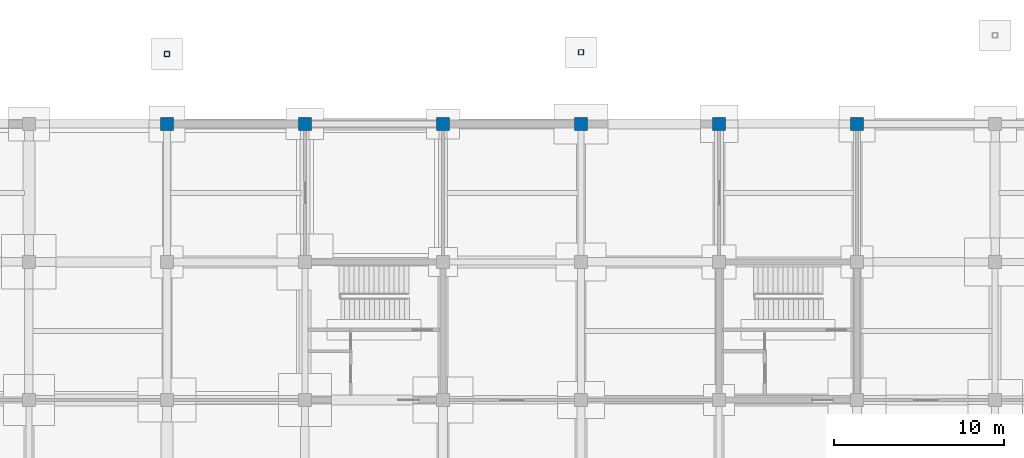
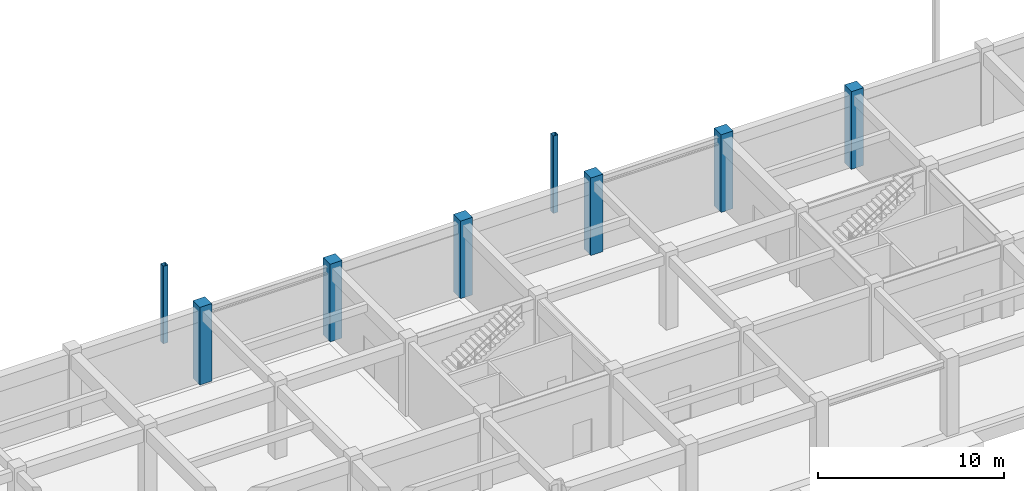
# One storey, part 30 of 67: 8 columns.
"""IFC4 building model written with IfcOpenShell, lengths in metres."""

from ifc_helpers import new_model, si_unit, direction, frame, origin, origin_2d, place, context, subcontext, project, spatial, rectangle, hollow_rectangle, extrude, material, material_profile, profile_set, type_object, element, save


model = new_model("IFC4")

# Units and contexts
model_context = context("Model", 3, precision=1e-05, world=origin(), true_north=direction((0.0, 1.0)))
body_context = subcontext(model_context, "Body", "Model", "MODEL_VIEW")
ifc_project = project(units=[si_unit("LENGTHUNIT", "METRE"), si_unit("AREAUNIT", "SQUARE_METRE"), si_unit("VOLUMEUNIT", "CUBIC_METRE"), si_unit("PLANEANGLEUNIT", "RADIAN"), si_unit("MASSUNIT", "GRAM", prefix="KILO")], contexts=[model_context])

# Site, building, storey
site_placement = place(None, origin())
site = spatial("IfcSite", under=ifc_project, at=site_placement, CompositionType="ELEMENT")
building_placement = place(site_placement, origin())
building = spatial("IfcBuilding", under=site, at=building_placement, Name="Vaudrelin Polytechnic", CompositionType="ELEMENT")
storey_placement = place(building_placement, frame((0.0, 0.0, -5.10009765625)))
storey = spatial("IfcBuildingStorey", under=building, at=storey_placement, Name="B1", CompositionType="ELEMENT", Elevation=-5.10009765625)

# Columns
ifc_material_1 = material(Name="Steel CSA G40.21 350WT", Category="steel")
ifc_material_profile_1 = material_profile(ifc_material_1, hollow_rectangle(XDim=0.304931640625, YDim=0.304931640625, WallThickness=0.0126953125, InnerFilletRadius=0.0126953125, OuterFilletRadius=0.025390625, at=origin_2d()), Name="HSS305x305x12.7")
ifc_profile_set_1 = profile_set([ifc_material_profile_1], Name="Steel CSA G40.21 350WT")
column_type_1 = type_object("IfcColumnType", Name="COL-C-HSS305", PredefinedType="COLUMN", material=ifc_profile_set_1)
for number, where, z_axis, x_axis, name in (
    (1, (48.60009765625, 125.60009765625, 0.0), (0.0, 0.0, 1.0), (1.0, 0.0, 0.0), "Deconstructivist column B1 N_OR1_2"),
    (2, (72.89990234375, 125.699951171875, 0.0), (0.0, 0.0, 1.0), (1.0, 0.0, 0.0), "Deconstructivist column B1 N_OR2_1"),
):
    element("IfcColumn", number, at=place(storey_placement, frame(where, z_axis=z_axis, x_axis=x_axis)), inside=storey, type_object=column_type_1, Name=name, PredefinedType="COLUMN", context=body_context, shape_type="SweptSolid", body=[
        extrude(hollow_rectangle(XDim=0.304931640625, YDim=0.304931640625, WallThickness=0.0126953125, InnerFilletRadius=0.0126953125, OuterFilletRadius=0.025390625, at=origin_2d()), origin(), (0.0, 0.0, 1.0), 5.10009765625),
    ])
ifc_material_2 = material(Name="Concrete 50 MPa", Category="concrete")
ifc_material_profile_2 = material_profile(ifc_material_2, rectangle(XDim=0.75, YDim=0.75, at=origin_2d()), Name="RC750x750")
ifc_profile_set_2 = profile_set([ifc_material_profile_2], Name="Concrete 50 MPa")
column_type_2 = type_object("IfcColumnType", Name="COL-C-RC750", PredefinedType="COLUMN", material=ifc_profile_set_2)
for number, where, z_axis, x_axis, name in (
    (3, (48.60009765625, 121.5, 0.0), (0.0, 0.0, 1.0), (1.0, 0.0, 0.0), "Column B1 7-16"),
    (4, (56.699951171875, 121.5, 0.0), (0.0, 0.0, 1.0), (1.0, 0.0, 0.0), "Column B1 8-16"),
    (5, (64.800048828125, 121.5, 0.0), (0.0, 0.0, 1.0), (1.0, 0.0, 0.0), "Column B1 9-16"),
    (6, (72.89990234375, 121.5, 0.0), (0.0, 0.0, 1.0), (1.0, 0.0, 0.0), "Column B1 10-16"),
    (7, (81.0, 121.5, 0.0), (0.0, 0.0, 1.0), (1.0, 0.0, 0.0), "Column B1 11-16"),
    (8, (89.10009765625, 121.5, 0.0), (0.0, 0.0, 1.0), (1.0, 0.0, 0.0), "Column B1 12-16"),
):
    element("IfcColumn", number, at=place(storey_placement, frame(where, z_axis=z_axis, x_axis=x_axis)), inside=storey, type_object=column_type_2, Name=name, PredefinedType="COLUMN", context=body_context, shape_type="SweptSolid", body=[
        extrude(rectangle(XDim=0.75, YDim=0.75, at=origin_2d()), origin(), (0.0, 0.0, 1.0), 5.10009765625),
    ])

save(model, "model.ifc")
